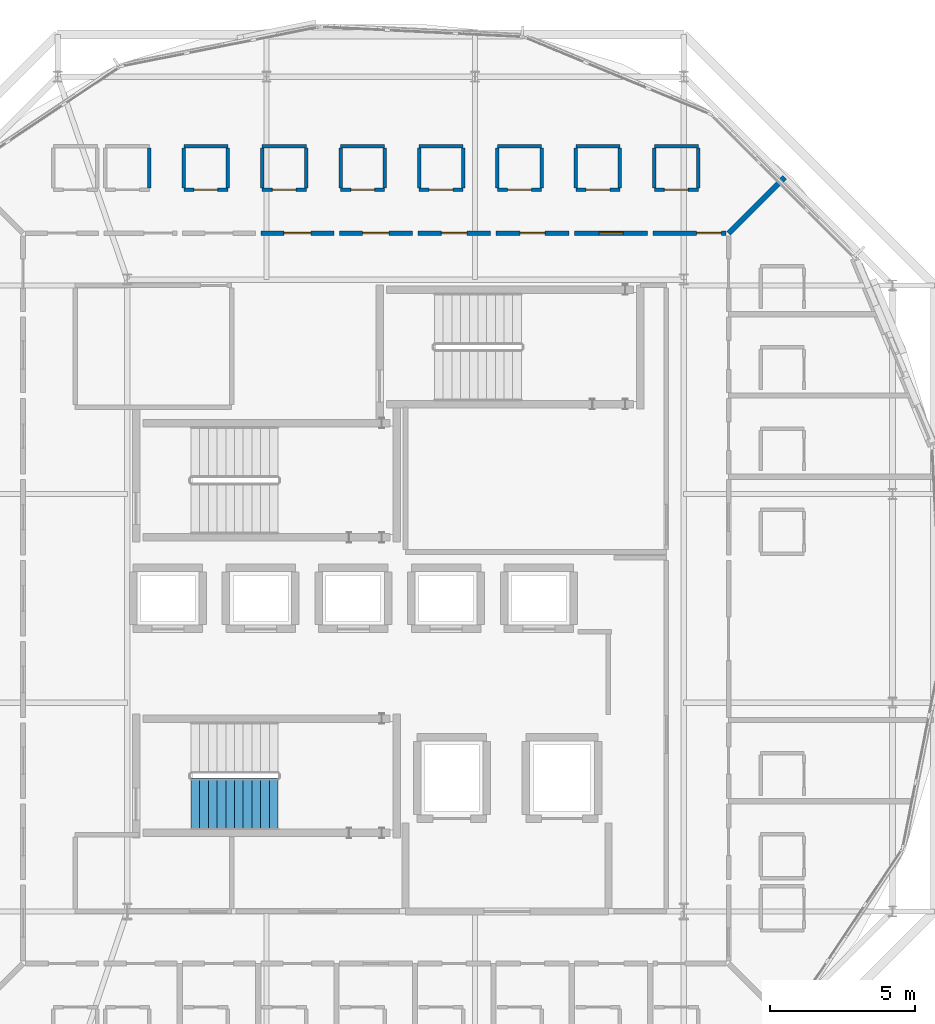
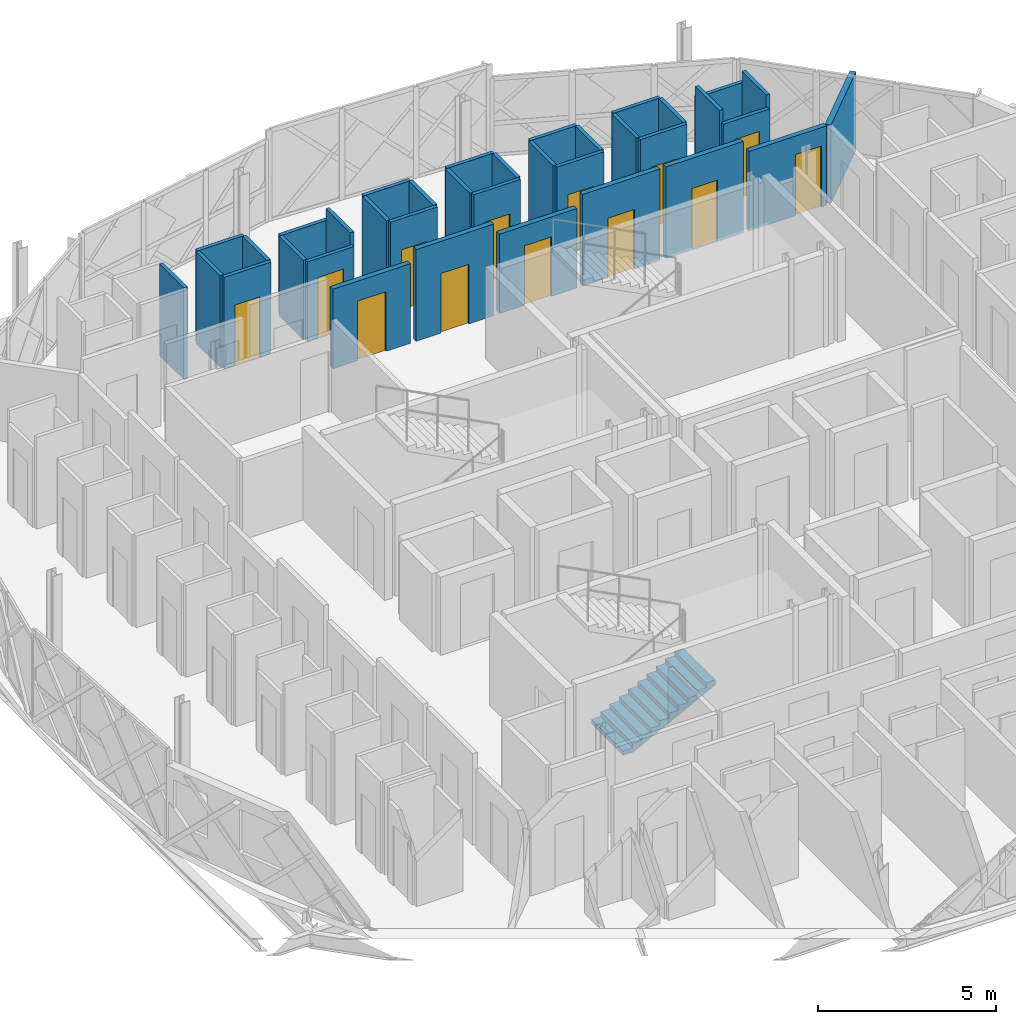
# One storey, part 18 of 24: 36 walls, 13 doors, 1 stair flight, 13 openings, 1 element without a shape of its own.
"""IFC4 building model written with IfcOpenShell, lengths in metres."""

from ifc_helpers import new_model, si_unit, direction, frame, frame_2d, origin, place, context, subcontext, project, spatial, polyline, rectangle, outline, extrude, material, layer, layer_set, type_object, element, fill, aggregate, save


model = new_model("IFC4")

# Units and contexts
model_context = context("Model", 3, precision=1e-05, world=origin(), true_north=direction((0.0, 1.0)))
body_context = subcontext(model_context, "Body", "Model", "MODEL_VIEW")
ifc_project = project(units=[si_unit("LENGTHUNIT", "METRE"), si_unit("AREAUNIT", "SQUARE_METRE"), si_unit("VOLUMEUNIT", "CUBIC_METRE"), si_unit("PLANEANGLEUNIT", "RADIAN"), si_unit("MASSUNIT", "GRAM", prefix="KILO")], contexts=[model_context])

# Site, building, storey
site_placement = place(None, origin())
site = spatial("IfcSite", under=ifc_project, at=site_placement, CompositionType="ELEMENT")
building_placement = place(site_placement, origin())
building = spatial("IfcBuilding", under=site, at=building_placement, Name="Zevrakil Square Congress Hotel", CompositionType="ELEMENT")
storey_placement = place(building_placement, frame((0.0, 0.0, 38.5)))
storey = spatial("IfcBuildingStorey", under=building, at=storey_placement, Name="L11", CompositionType="ELEMENT", Elevation=38.5)

# Wall, opening, door
ifc_material_1 = material(Name="Gypsum Acoustic Stud Partition")
ifc_layer_1 = layer(ifc_material_1, 0.159912109375)
ifc_layer_set_1 = layer_set([ifc_layer_1], Name="Gypsum Acoustic Stud Partition")
wall_type_1 = type_object("IfcWallType", Name="WAL-CORR-160", PredefinedType="PARTITIONING", material=ifc_layer_set_1)
wall_1_placement = place(storey_placement, frame((154.939453125, 40.199951171875, 0.0), z_axis=(0.0, 0.0, 1.0), x_axis=(1.0, 0.0, 0.0)))
wall_1 = element("IfcWall", 1, at=wall_1_placement, inside=storey, type_object=wall_type_1, Name="L11 interior partition PW-L11-1883", PredefinedType="PARTITIONING", context=body_context, shape_type="SweptSolid", body=[
    extrude(rectangle(XDim=2.515625, YDim=0.159912109375, at=frame_2d((1.2578125, 0.0))), origin(), (0.0, 0.0, 1.0), 2.735107421875),
])
opening_1_placement = place(wall_1_placement, frame((1.503662109375, 0.0, 0.0)))
opening_1 = element("IfcOpeningElement", 2, at=opening_1_placement, cuts=wall_1, Name="Opening ID-H01", PredefinedType="OPENING", context=body_context, shape_type="SweptSolid", body=[
    extrude(rectangle(XDim=0.85205078125, YDim=2.10009765625, at=frame_2d((0.426025390625, 1.050048828125))), frame((0.0, 0.08984375, 0.0), z_axis=(0.0, -1.0, 0.0), x_axis=(1.0, 0.0, 0.0)), (0.0, 0.0, 1.0), 0.179931640625),
])
ifc_material_2 = material(Name="Acoustic Timber Fire Door", Category="wood")
door_type_1 = type_object("IfcDoorType", Name="DOR-INT-H01", OperationType="NOTDEFINED", PredefinedType="DOOR", material=ifc_material_2)
door_1_placement = place(opening_1_placement, origin())
door_1 = element("IfcDoor", 3, at=door_1_placement, inside=storey, type_object=door_type_1, Name="L11 interior door 730", OperationType="SINGLE_SWING_RIGHT", OverallHeight=2.10009765625, OverallWidth=0.85205078125, PredefinedType="DOOR", context=body_context, shape_type="SweptSolid", body=[
    extrude(rectangle(XDim=0.85205078125, YDim=2.10009765625, at=frame_2d((0.426025390625, 1.050048828125))), frame((0.0, 0.02490234375, 0.0), z_axis=(0.0, -1.0, 0.0), x_axis=(1.0, 0.0, 0.0)), (0.0, 0.0, 1.0), 0.050048828125),
])
fill(opening_1, door_1)

wall_2_placement = place(storey_placement, frame((152.23388671875, 40.199951171875, 0.0), z_axis=(0.0, 0.0, 1.0), x_axis=(1.0, 0.0, 0.0)))
wall_2 = element("IfcWall", 4, at=wall_2_placement, inside=storey, type_object=wall_type_1, Name="L11 interior partition PW-L11-1888", PredefinedType="PARTITIONING", context=body_context, shape_type="SweptSolid", body=[
    extrude(rectangle(XDim=2.515625, YDim=0.159912109375, at=frame_2d((1.2578125, 0.0))), origin(), (0.0, 0.0, 1.0), 3.14990234375),
])
opening_2_placement = place(wall_2_placement, frame((0.8427734375, 0.0, 0.0)))
opening_2 = element("IfcOpeningElement", 5, at=opening_2_placement, cuts=wall_2, Name="Opening ID-G10", PredefinedType="OPENING", context=body_context, shape_type="SweptSolid", body=[
    extrude(rectangle(XDim=0.830078125, YDim=2.110107421875, at=frame_2d((0.4150390625, 1.05517578125))), frame((0.0, 0.08984375, 0.0), z_axis=(0.0, -1.0, 0.0), x_axis=(1.0, 0.0, 0.0)), (0.0, 0.0, 1.0), 0.179931640625),
])
ifc_material_3 = material(Name="Acoustic Timber Fire Door", Category="wood")
door_type_2 = type_object("IfcDoorType", Name="DOR-INT-G10", OperationType="NOTDEFINED", PredefinedType="DOOR", material=ifc_material_3)
door_2_placement = place(opening_2_placement, origin())
door_2 = element("IfcDoor", 6, at=door_2_placement, inside=storey, type_object=door_type_2, Name="L11 interior door 732", OperationType="SINGLE_SWING_RIGHT", OverallHeight=2.110107421875, OverallWidth=0.830078125, PredefinedType="DOOR", context=body_context, shape_type="SweptSolid", body=[
    extrude(rectangle(XDim=0.830078125, YDim=2.110107421875, at=frame_2d((0.4150390625, 1.05517578125))), frame((0.0, 0.02490234375, 0.0), z_axis=(0.0, -1.0, 0.0), x_axis=(1.0, 0.0, 0.0)), (0.0, 0.0, 1.0), 0.050048828125),
])
fill(opening_2, door_2)

wall_3_placement = place(storey_placement, frame((149.5283203125, 40.199951171875, 0.0), z_axis=(0.0, 0.0, 1.0), x_axis=(1.0, 0.0, 0.0)))
wall_3 = element("IfcWall", 7, at=wall_3_placement, inside=storey, type_object=wall_type_1, Name="L11 interior partition PW-L11-1893", PredefinedType="PARTITIONING", context=body_context, shape_type="SweptSolid", body=[
    extrude(rectangle(XDim=2.515625, YDim=0.159912109375, at=frame_2d((1.2578125, 0.0))), origin(), (0.0, 0.0, 1.0), 3.14990234375),
])
opening_3_placement = place(wall_3_placement, frame((0.830322265625, 0.0, 0.0)))
opening_3 = element("IfcOpeningElement", 8, at=opening_3_placement, cuts=wall_3, Name="Opening ID-G01", PredefinedType="OPENING", context=body_context, shape_type="SweptSolid", body=[
    extrude(rectangle(XDim=0.85498046875, YDim=2.050048828125, at=frame_2d((0.427490234375, 1.02490234375))), frame((0.0, 0.08984375, 0.0), z_axis=(0.0, -1.0, 0.0), x_axis=(1.0, 0.0, 0.0)), (0.0, 0.0, 1.0), 0.179931640625),
])
ifc_material_4 = material(Name="Acoustic Timber Fire Door", Category="wood")
door_type_3 = type_object("IfcDoorType", Name="DOR-INT-G01", OperationType="NOTDEFINED", PredefinedType="DOOR", material=ifc_material_4)
door_3_placement = place(opening_3_placement, origin())
door_3 = element("IfcDoor", 9, at=door_3_placement, inside=storey, type_object=door_type_3, Name="L11 interior door 734", OperationType="SINGLE_SWING_RIGHT", OverallHeight=2.050048828125, OverallWidth=0.85498046875, PredefinedType="DOOR", context=body_context, shape_type="SweptSolid", body=[
    extrude(rectangle(XDim=0.85498046875, YDim=2.050048828125, at=frame_2d((0.427490234375, 1.02490234375))), frame((0.0, 0.02490234375, 0.0), z_axis=(0.0, -1.0, 0.0), x_axis=(1.0, 0.0, 0.0)), (0.0, 0.0, 1.0), 0.050048828125),
])
fill(opening_3, door_3)

wall_4_placement = place(storey_placement, frame((146.82275390625, 40.199951171875, 0.0), z_axis=(0.0, 0.0, 1.0), x_axis=(1.0, 0.0, 0.0)))
wall_4 = element("IfcWall", 10, at=wall_4_placement, inside=storey, type_object=wall_type_1, Name="L11 interior partition PW-L11-1898", PredefinedType="PARTITIONING", context=body_context, shape_type="SweptSolid", body=[
    extrude(rectangle(XDim=2.515625, YDim=0.159912109375, at=frame_2d((1.2578125, 0.0))), origin(), (0.0, 0.0, 1.0), 2.735107421875),
])
opening_4_placement = place(wall_4_placement, frame((0.81787109375, 0.0, 0.0)))
opening_4 = element("IfcOpeningElement", 11, at=opening_4_placement, cuts=wall_4, Name="Opening ID-G02", PredefinedType="OPENING", context=body_context, shape_type="SweptSolid", body=[
    extrude(rectangle(XDim=0.8798828125, YDim=2.050048828125, at=frame_2d((0.43994140625, 1.02490234375))), frame((0.0, 0.08984375, 0.0), z_axis=(0.0, -1.0, 0.0), x_axis=(1.0, 0.0, 0.0)), (0.0, 0.0, 1.0), 0.179931640625),
])
ifc_material_5 = material(Name="Acoustic Timber Fire Door", Category="wood")
door_type_4 = type_object("IfcDoorType", Name="DOR-INT-G02", OperationType="NOTDEFINED", PredefinedType="DOOR", material=ifc_material_5)
door_4_placement = place(opening_4_placement, origin())
door_4 = element("IfcDoor", 12, at=door_4_placement, inside=storey, type_object=door_type_4, Name="L11 interior door 736", OperationType="SINGLE_SWING_RIGHT", OverallHeight=2.050048828125, OverallWidth=0.8798828125, PredefinedType="DOOR", context=body_context, shape_type="SweptSolid", body=[
    extrude(rectangle(XDim=0.8798828125, YDim=2.050048828125, at=frame_2d((0.43994140625, 1.02490234375))), frame((0.0, 0.02490234375, 0.0), z_axis=(0.0, -1.0, 0.0), x_axis=(1.0, 0.0, 0.0)), (0.0, 0.0, 1.0), 0.050048828125),
])
fill(opening_4, door_4)

wall_5_placement = place(storey_placement, frame((144.1171875, 40.199951171875, 0.0), z_axis=(0.0, 0.0, 1.0), x_axis=(1.0, 0.0, 0.0)))
wall_5 = element("IfcWall", 13, at=wall_5_placement, inside=storey, type_object=wall_type_1, Name="L11 interior partition PW-L11-1903", PredefinedType="PARTITIONING", context=body_context, shape_type="SweptSolid", body=[
    extrude(rectangle(XDim=2.515625, YDim=0.159912109375, at=frame_2d((1.2578125, 0.0))), origin(), (0.0, 0.0, 1.0), 3.14990234375),
])
opening_5_placement = place(wall_5_placement, frame((0.805419921875, 0.0, 0.0)))
opening_5 = element("IfcOpeningElement", 14, at=opening_5_placement, cuts=wall_5, Name="Opening ID-G03", PredefinedType="OPENING", context=body_context, shape_type="SweptSolid", body=[
    extrude(rectangle(XDim=0.905029296875, YDim=2.050048828125, at=frame_2d((0.45263671875, 1.02490234375))), frame((0.0, 0.08984375, 0.0), z_axis=(0.0, -1.0, 0.0), x_axis=(1.0, 0.0, 0.0)), (0.0, 0.0, 1.0), 0.179931640625),
])
ifc_material_6 = material(Name="Acoustic Timber Fire Door", Category="wood")
door_type_5 = type_object("IfcDoorType", Name="DOR-INT-G03", OperationType="NOTDEFINED", PredefinedType="DOOR", material=ifc_material_6)
door_5_placement = place(opening_5_placement, origin())
door_5 = element("IfcDoor", 15, at=door_5_placement, inside=storey, type_object=door_type_5, Name="L11 interior door 738", OperationType="SINGLE_SWING_RIGHT", OverallHeight=2.050048828125, OverallWidth=0.905029296875, PredefinedType="DOOR", context=body_context, shape_type="SweptSolid", body=[
    extrude(rectangle(XDim=0.905029296875, YDim=2.050048828125, at=frame_2d((0.45263671875, 1.02490234375))), frame((0.0, 0.02490234375, 0.0), z_axis=(0.0, -1.0, 0.0), x_axis=(1.0, 0.0, 0.0)), (0.0, 0.0, 1.0), 0.050048828125),
])
fill(opening_5, door_5)

wall_6_placement = place(storey_placement, frame((141.41162109375, 40.199951171875, 0.0), z_axis=(0.0, 0.0, 1.0), x_axis=(1.0, 0.0, 0.0)))
wall_6 = element("IfcWall", 16, at=wall_6_placement, inside=storey, type_object=wall_type_1, Name="L11 interior partition PW-L11-1908", PredefinedType="PARTITIONING", context=body_context, shape_type="SweptSolid", body=[
    extrude(rectangle(XDim=2.515625, YDim=0.159912109375, at=frame_2d((1.2578125, 0.0))), origin(), (0.0, 0.0, 1.0), 2.735107421875),
])
opening_6_placement = place(wall_6_placement, frame((0.792724609375, 0.0, 0.0)))
opening_6 = element("IfcOpeningElement", 17, at=opening_6_placement, cuts=wall_6, Name="Opening ID-G04", PredefinedType="OPENING", context=body_context, shape_type="SweptSolid", body=[
    extrude(rectangle(XDim=0.929931640625, YDim=2.050048828125, at=frame_2d((0.46484375, 1.02490234375))), frame((0.0, 0.08984375, 0.0), z_axis=(0.0, -1.0, 0.0), x_axis=(1.0, 0.0, 0.0)), (0.0, 0.0, 1.0), 0.179931640625),
])
ifc_material_7 = material(Name="Acoustic Timber Fire Door", Category="wood")
door_type_6 = type_object("IfcDoorType", Name="DOR-INT-G04", OperationType="NOTDEFINED", PredefinedType="DOOR", material=ifc_material_7)
door_6_placement = place(opening_6_placement, origin())
door_6 = element("IfcDoor", 18, at=door_6_placement, inside=storey, type_object=door_type_6, Name="L11 interior door 740", OperationType="SINGLE_SWING_RIGHT", OverallHeight=2.050048828125, OverallWidth=0.929931640625, PredefinedType="DOOR", context=body_context, shape_type="SweptSolid", body=[
    extrude(rectangle(XDim=0.929931640625, YDim=2.050048828125, at=frame_2d((0.46484375, 1.02490234375))), frame((0.0, 0.02490234375, 0.0), z_axis=(0.0, -1.0, 0.0), x_axis=(1.0, 0.0, 0.0)), (0.0, 0.0, 1.0), 0.050048828125),
])
fill(opening_6, door_6)

ifc_material_8 = material(Name="Moisture-Resistant Gypsum Partition")
ifc_layer_2 = layer(ifc_material_8, 0.1201171875)
ifc_layer_set_2 = layer_set([ifc_layer_2], Name="Moisture-Resistant Gypsum Partition")
wall_type_2 = type_object("IfcWallType", Name="WAL-ENS-120", PredefinedType="PARTITIONING", material=ifc_layer_set_2)
wall_7_placement = place(storey_placement, frame((154.984375, 41.699951171875, 0.0), z_axis=(0.0, 0.0, 1.0), x_axis=(1.0, 0.0, 0.0)))
wall_7 = element("IfcWall", 19, at=wall_7_placement, inside=storey, type_object=wall_type_2, Name="L11 interior partition PW-L11-1884", PredefinedType="PARTITIONING", context=body_context, shape_type="SweptSolid", body=[
    extrude(rectangle(XDim=1.52001953125, YDim=0.1201171875, at=frame_2d((0.760009765625, 0.0))), origin(), (0.0, 0.0, 1.0), 2.735107421875),
])
opening_7_placement = place(wall_7_placement, frame((0.35009765625, 0.0, 0.0)))
opening_7 = element("IfcOpeningElement", 20, at=opening_7_placement, cuts=wall_7, Name="Opening ID-11", PredefinedType="OPENING", context=body_context, shape_type="SweptSolid", body=[
    extrude(rectangle(XDim=0.820068359375, YDim=2.080078125, at=frame_2d((0.41015625, 1.0400390625))), frame((0.0, 0.070068359375, 0.0), z_axis=(0.0, -1.0, 0.0), x_axis=(1.0, 0.0, 0.0)), (0.0, 0.0, 1.0), 0.14013671875),
])
ifc_material_9 = material(Name="Acoustic Timber Door", Category="wood")
door_type_7 = type_object("IfcDoorType", Name="DOR-INT-V01", OperationType="NOTDEFINED", PredefinedType="DOOR", material=ifc_material_9)
door_7_placement = place(opening_7_placement, origin())
door_7 = element("IfcDoor", 21, at=door_7_placement, inside=storey, type_object=door_type_7, Name="L11 interior door 731", OperationType="SINGLE_SWING_LEFT", OverallHeight=2.080078125, OverallWidth=0.820068359375, PredefinedType="DOOR", context=body_context, shape_type="SweptSolid", body=[
    extrude(rectangle(XDim=0.820068359375, YDim=2.080078125, at=frame_2d((0.41015625, 1.0400390625))), frame((0.0, 0.02490234375, 0.0), z_axis=(0.0, -1.0, 0.0), x_axis=(1.0, 0.0, 0.0)), (0.0, 0.0, 1.0), 0.050048828125),
])
fill(opening_7, door_7)

# Walls
wall_8_placement = place(storey_placement, frame((154.984375, 43.199951171875, 0.0), z_axis=(0.0, 0.0, 1.0), x_axis=(1.0, 0.0, 0.0)))
element("IfcWall", 22, at=wall_8_placement, inside=storey, type_object=wall_type_2, Name="L11 interior partition PW-L11-1885", PredefinedType="PARTITIONING", context=body_context, shape_type="SweptSolid", body=[
    extrude(rectangle(XDim=1.52001953125, YDim=0.1201171875, at=frame_2d((0.760009765625, 0.0))), origin(), (0.0, 0.0, 1.0), 2.735107421875),
])
for number, where, z_axis, x_axis, name in (
    (23, (154.984375, 41.764892578125, 0.0), (0.0, 0.0, 1.0), (0.0, 1.0, 0.0), "L11 interior partition PW-L11-1886"),
    (24, (156.50439453125, 41.764892578125, 0.0), (0.0, 0.0, 1.0), (0.0, 1.0, 0.0), "L11 interior partition PW-L11-1887"),
):
    element("IfcWall", number, at=place(storey_placement, frame(where, z_axis=z_axis, x_axis=x_axis)), inside=storey, type_object=wall_type_2, Name=name, PredefinedType="PARTITIONING", context=body_context, shape_type="SweptSolid", body=[
        extrude(rectangle(XDim=1.3701171875, YDim=0.1201171875, at=frame_2d((0.68505859375, 0.0))), origin(), (0.0, 0.0, 1.0), 3.14990234375),
    ])

# Wall, opening, door
wall_9_placement = place(storey_placement, frame((152.27880859375, 41.699951171875, 0.0), z_axis=(0.0, 0.0, 1.0), x_axis=(1.0, 0.0, 0.0)))
wall_9 = element("IfcWall", 25, at=wall_9_placement, inside=storey, type_object=wall_type_2, Name="L11 interior partition PW-L11-1889", PredefinedType="PARTITIONING", context=body_context, shape_type="SweptSolid", body=[
    extrude(rectangle(XDim=1.52001953125, YDim=0.1201171875, at=frame_2d((0.760009765625, 0.0))), origin(), (0.0, 0.0, 1.0), 3.14990234375),
])
opening_8_placement = place(wall_9_placement, frame((0.35009765625, 0.0, 0.0)))
opening_8 = element("IfcOpeningElement", 26, at=opening_8_placement, cuts=wall_9, Name="Opening ID-11", PredefinedType="OPENING", context=body_context, shape_type="SweptSolid", body=[
    extrude(rectangle(XDim=0.820068359375, YDim=2.080078125, at=frame_2d((0.41015625, 1.0400390625))), frame((0.0, 0.070068359375, 0.0), z_axis=(0.0, -1.0, 0.0), x_axis=(1.0, 0.0, 0.0)), (0.0, 0.0, 1.0), 0.14013671875),
])
door_8_placement = place(opening_8_placement, origin())
door_8 = element("IfcDoor", 27, at=door_8_placement, inside=storey, type_object=door_type_7, Name="L11 interior door 733", OperationType="SINGLE_SWING_LEFT", OverallHeight=2.080078125, OverallWidth=0.820068359375, PredefinedType="DOOR", context=body_context, shape_type="SweptSolid", body=[
    extrude(rectangle(XDim=0.820068359375, YDim=2.080078125, at=frame_2d((0.41015625, 1.0400390625))), frame((0.0, 0.02490234375, 0.0), z_axis=(0.0, -1.0, 0.0), x_axis=(1.0, 0.0, 0.0)), (0.0, 0.0, 1.0), 0.050048828125),
])
fill(opening_8, door_8)

# Walls
wall_10_placement = place(storey_placement, frame((152.27880859375, 43.199951171875, 0.0), z_axis=(0.0, 0.0, 1.0), x_axis=(1.0, 0.0, 0.0)))
element("IfcWall", 28, at=wall_10_placement, inside=storey, type_object=wall_type_2, Name="L11 interior partition PW-L11-1890", PredefinedType="PARTITIONING", context=body_context, shape_type="SweptSolid", body=[
    extrude(rectangle(XDim=1.52001953125, YDim=0.1201171875, at=frame_2d((0.760009765625, 0.0))), origin(), (0.0, 0.0, 1.0), 3.14990234375),
])
for number, where, z_axis, x_axis, name in (
    (29, (152.27880859375, 41.764892578125, 0.0), (0.0, 0.0, 1.0), (0.0, 1.0, 0.0), "L11 interior partition PW-L11-1891"),
    (30, (153.798828125, 41.764892578125, 0.0), (0.0, 0.0, 1.0), (0.0, 1.0, 0.0), "L11 interior partition PW-L11-1892"),
):
    element("IfcWall", number, at=place(storey_placement, frame(where, z_axis=z_axis, x_axis=x_axis)), inside=storey, type_object=wall_type_2, Name=name, PredefinedType="PARTITIONING", context=body_context, shape_type="SweptSolid", body=[
        extrude(rectangle(XDim=1.3701171875, YDim=0.1201171875, at=frame_2d((0.68505859375, 0.0))), origin(), (0.0, 0.0, 1.0), 3.14990234375),
    ])

# Wall, opening, door
wall_11_placement = place(storey_placement, frame((149.5732421875, 41.699951171875, 0.0), z_axis=(0.0, 0.0, 1.0), x_axis=(1.0, 0.0, 0.0)))
wall_11 = element("IfcWall", 31, at=wall_11_placement, inside=storey, type_object=wall_type_2, Name="L11 interior partition PW-L11-1894", PredefinedType="PARTITIONING", context=body_context, shape_type="SweptSolid", body=[
    extrude(rectangle(XDim=1.52001953125, YDim=0.1201171875, at=frame_2d((0.760009765625, 0.0))), origin(), (0.0, 0.0, 1.0), 3.14990234375),
])
opening_9_placement = place(wall_11_placement, frame((0.35009765625, 0.0, 0.0)))
opening_9 = element("IfcOpeningElement", 32, at=opening_9_placement, cuts=wall_11, Name="Opening ID-11", PredefinedType="OPENING", context=body_context, shape_type="SweptSolid", body=[
    extrude(rectangle(XDim=0.820068359375, YDim=2.080078125, at=frame_2d((0.41015625, 1.0400390625))), frame((0.0, 0.070068359375, 0.0), z_axis=(0.0, -1.0, 0.0), x_axis=(1.0, 0.0, 0.0)), (0.0, 0.0, 1.0), 0.14013671875),
])
door_9_placement = place(opening_9_placement, origin())
door_9 = element("IfcDoor", 33, at=door_9_placement, inside=storey, type_object=door_type_7, Name="L11 interior door 735", OperationType="SINGLE_SWING_LEFT", OverallHeight=2.080078125, OverallWidth=0.820068359375, PredefinedType="DOOR", context=body_context, shape_type="SweptSolid", body=[
    extrude(rectangle(XDim=0.820068359375, YDim=2.080078125, at=frame_2d((0.41015625, 1.0400390625))), frame((0.0, 0.02490234375, 0.0), z_axis=(0.0, -1.0, 0.0), x_axis=(1.0, 0.0, 0.0)), (0.0, 0.0, 1.0), 0.050048828125),
])
fill(opening_9, door_9)

# Walls
wall_12_placement = place(storey_placement, frame((149.5732421875, 43.199951171875, 0.0), z_axis=(0.0, 0.0, 1.0), x_axis=(1.0, 0.0, 0.0)))
element("IfcWall", 34, at=wall_12_placement, inside=storey, type_object=wall_type_2, Name="L11 interior partition PW-L11-1895", PredefinedType="PARTITIONING", context=body_context, shape_type="SweptSolid", body=[
    extrude(rectangle(XDim=1.52001953125, YDim=0.1201171875, at=frame_2d((0.760009765625, 0.0))), origin(), (0.0, 0.0, 1.0), 3.14990234375),
])
for number, where, z_axis, x_axis, name in (
    (35, (149.5732421875, 41.764892578125, 0.0), (0.0, 0.0, 1.0), (0.0, 1.0, 0.0), "L11 interior partition PW-L11-1896"),
    (36, (151.09326171875, 41.764892578125, 0.0), (0.0, 0.0, 1.0), (0.0, 1.0, 0.0), "L11 interior partition PW-L11-1897"),
):
    element("IfcWall", number, at=place(storey_placement, frame(where, z_axis=z_axis, x_axis=x_axis)), inside=storey, type_object=wall_type_2, Name=name, PredefinedType="PARTITIONING", context=body_context, shape_type="SweptSolid", body=[
        extrude(rectangle(XDim=1.3701171875, YDim=0.1201171875, at=frame_2d((0.68505859375, 0.0))), origin(), (0.0, 0.0, 1.0), 3.14990234375),
    ])

# Wall, opening, door
wall_13_placement = place(storey_placement, frame((146.86767578125, 41.699951171875, 0.0), z_axis=(0.0, 0.0, 1.0), x_axis=(1.0, 0.0, 0.0)))
wall_13 = element("IfcWall", 37, at=wall_13_placement, inside=storey, type_object=wall_type_2, Name="L11 interior partition PW-L11-1899", PredefinedType="PARTITIONING", context=body_context, shape_type="SweptSolid", body=[
    extrude(rectangle(XDim=1.52001953125, YDim=0.1201171875, at=frame_2d((0.760009765625, 0.0))), origin(), (0.0, 0.0, 1.0), 3.14990234375),
])
opening_10_placement = place(wall_13_placement, frame((0.35009765625, 0.0, 0.0)))
opening_10 = element("IfcOpeningElement", 38, at=opening_10_placement, cuts=wall_13, Name="Opening ID-11", PredefinedType="OPENING", context=body_context, shape_type="SweptSolid", body=[
    extrude(rectangle(XDim=0.820068359375, YDim=2.080078125, at=frame_2d((0.41015625, 1.0400390625))), frame((0.0, 0.070068359375, 0.0), z_axis=(0.0, -1.0, 0.0), x_axis=(1.0, 0.0, 0.0)), (0.0, 0.0, 1.0), 0.14013671875),
])
door_10_placement = place(opening_10_placement, origin())
door_10 = element("IfcDoor", 39, at=door_10_placement, inside=storey, type_object=door_type_7, Name="L11 interior door 737", OperationType="SINGLE_SWING_LEFT", OverallHeight=2.080078125, OverallWidth=0.820068359375, PredefinedType="DOOR", context=body_context, shape_type="SweptSolid", body=[
    extrude(rectangle(XDim=0.820068359375, YDim=2.080078125, at=frame_2d((0.41015625, 1.0400390625))), frame((0.0, 0.02490234375, 0.0), z_axis=(0.0, -1.0, 0.0), x_axis=(1.0, 0.0, 0.0)), (0.0, 0.0, 1.0), 0.050048828125),
])
fill(opening_10, door_10)

# Walls
wall_14_placement = place(storey_placement, frame((146.86767578125, 43.199951171875, 0.0), z_axis=(0.0, 0.0, 1.0), x_axis=(1.0, 0.0, 0.0)))
element("IfcWall", 40, at=wall_14_placement, inside=storey, type_object=wall_type_2, Name="L11 interior partition PW-L11-1900", PredefinedType="PARTITIONING", context=body_context, shape_type="SweptSolid", body=[
    extrude(rectangle(XDim=1.52001953125, YDim=0.1201171875, at=frame_2d((0.760009765625, 0.0))), origin(), (0.0, 0.0, 1.0), 3.14990234375),
])
for number, where, z_axis, x_axis, name in (
    (41, (146.86767578125, 41.764892578125, 0.0), (0.0, 0.0, 1.0), (0.0, 1.0, 0.0), "L11 interior partition PW-L11-1901"),
    (42, (148.3876953125, 41.764892578125, 0.0), (0.0, 0.0, 1.0), (0.0, 1.0, 0.0), "L11 interior partition PW-L11-1902"),
):
    element("IfcWall", number, at=place(storey_placement, frame(where, z_axis=z_axis, x_axis=x_axis)), inside=storey, type_object=wall_type_2, Name=name, PredefinedType="PARTITIONING", context=body_context, shape_type="SweptSolid", body=[
        extrude(rectangle(XDim=1.3701171875, YDim=0.1201171875, at=frame_2d((0.68505859375, 0.0))), origin(), (0.0, 0.0, 1.0), 3.14990234375),
    ])

# Wall, opening, door
wall_15_placement = place(storey_placement, frame((144.162109375, 41.699951171875, 0.0), z_axis=(0.0, 0.0, 1.0), x_axis=(1.0, 0.0, 0.0)))
wall_15 = element("IfcWall", 43, at=wall_15_placement, inside=storey, type_object=wall_type_2, Name="L11 interior partition PW-L11-1904", PredefinedType="PARTITIONING", context=body_context, shape_type="SweptSolid", body=[
    extrude(rectangle(XDim=1.52001953125, YDim=0.1201171875, at=frame_2d((0.760009765625, 0.0))), origin(), (0.0, 0.0, 1.0), 3.14990234375),
])
opening_11_placement = place(wall_15_placement, frame((0.35009765625, 0.0, 0.0)))
opening_11 = element("IfcOpeningElement", 44, at=opening_11_placement, cuts=wall_15, Name="Opening ID-11", PredefinedType="OPENING", context=body_context, shape_type="SweptSolid", body=[
    extrude(rectangle(XDim=0.820068359375, YDim=2.080078125, at=frame_2d((0.41015625, 1.0400390625))), frame((0.0, 0.070068359375, 0.0), z_axis=(0.0, -1.0, 0.0), x_axis=(1.0, 0.0, 0.0)), (0.0, 0.0, 1.0), 0.14013671875),
])
door_11_placement = place(opening_11_placement, origin())
door_11 = element("IfcDoor", 45, at=door_11_placement, inside=storey, type_object=door_type_7, Name="L11 interior door 739", OperationType="SINGLE_SWING_LEFT", OverallHeight=2.080078125, OverallWidth=0.820068359375, PredefinedType="DOOR", context=body_context, shape_type="SweptSolid", body=[
    extrude(rectangle(XDim=0.820068359375, YDim=2.080078125, at=frame_2d((0.41015625, 1.0400390625))), frame((0.0, 0.02490234375, 0.0), z_axis=(0.0, -1.0, 0.0), x_axis=(1.0, 0.0, 0.0)), (0.0, 0.0, 1.0), 0.050048828125),
])
fill(opening_11, door_11)

# Walls
wall_16_placement = place(storey_placement, frame((144.162109375, 43.199951171875, 0.0), z_axis=(0.0, 0.0, 1.0), x_axis=(1.0, 0.0, 0.0)))
element("IfcWall", 46, at=wall_16_placement, inside=storey, type_object=wall_type_2, Name="L11 interior partition PW-L11-1905", PredefinedType="PARTITIONING", context=body_context, shape_type="SweptSolid", body=[
    extrude(rectangle(XDim=1.52001953125, YDim=0.1201171875, at=frame_2d((0.760009765625, 0.0))), origin(), (0.0, 0.0, 1.0), 3.14990234375),
])
for number, where, z_axis, x_axis, name in (
    (47, (144.162109375, 41.764892578125, 0.0), (0.0, 0.0, 1.0), (0.0, 1.0, 0.0), "L11 interior partition PW-L11-1906"),
    (48, (145.68212890625, 41.764892578125, 0.0), (0.0, 0.0, 1.0), (0.0, 1.0, 0.0), "L11 interior partition PW-L11-1907"),
):
    element("IfcWall", number, at=place(storey_placement, frame(where, z_axis=z_axis, x_axis=x_axis)), inside=storey, type_object=wall_type_2, Name=name, PredefinedType="PARTITIONING", context=body_context, shape_type="SweptSolid", body=[
        extrude(rectangle(XDim=1.3701171875, YDim=0.1201171875, at=frame_2d((0.68505859375, 0.0))), origin(), (0.0, 0.0, 1.0), 3.14990234375),
    ])

# Wall, opening, door
wall_17_placement = place(storey_placement, frame((141.45654296875, 41.699951171875, 0.0), z_axis=(0.0, 0.0, 1.0), x_axis=(1.0, 0.0, 0.0)))
wall_17 = element("IfcWall", 49, at=wall_17_placement, inside=storey, type_object=wall_type_2, Name="L11 interior partition PW-L11-1909", PredefinedType="PARTITIONING", context=body_context, shape_type="SweptSolid", body=[
    extrude(rectangle(XDim=1.52001953125, YDim=0.1201171875, at=frame_2d((0.760009765625, 0.0))), origin(), (0.0, 0.0, 1.0), 2.735107421875),
])
opening_12_placement = place(wall_17_placement, frame((0.35009765625, 0.0, 0.0)))
opening_12 = element("IfcOpeningElement", 50, at=opening_12_placement, cuts=wall_17, Name="Opening ID-11", PredefinedType="OPENING", context=body_context, shape_type="SweptSolid", body=[
    extrude(rectangle(XDim=0.820068359375, YDim=2.080078125, at=frame_2d((0.41015625, 1.0400390625))), frame((0.0, 0.070068359375, 0.0), z_axis=(0.0, -1.0, 0.0), x_axis=(1.0, 0.0, 0.0)), (0.0, 0.0, 1.0), 0.14013671875),
])
door_12_placement = place(opening_12_placement, origin())
door_12 = element("IfcDoor", 51, at=door_12_placement, inside=storey, type_object=door_type_7, Name="L11 interior door 741", OperationType="SINGLE_SWING_LEFT", OverallHeight=2.080078125, OverallWidth=0.820068359375, PredefinedType="DOOR", context=body_context, shape_type="SweptSolid", body=[
    extrude(rectangle(XDim=0.820068359375, YDim=2.080078125, at=frame_2d((0.41015625, 1.0400390625))), frame((0.0, 0.02490234375, 0.0), z_axis=(0.0, -1.0, 0.0), x_axis=(1.0, 0.0, 0.0)), (0.0, 0.0, 1.0), 0.050048828125),
])
fill(opening_12, door_12)

# Walls
wall_18_placement = place(storey_placement, frame((141.45654296875, 43.199951171875, 0.0), z_axis=(0.0, 0.0, 1.0), x_axis=(1.0, 0.0, 0.0)))
element("IfcWall", 52, at=wall_18_placement, inside=storey, type_object=wall_type_2, Name="L11 interior partition PW-L11-1910", PredefinedType="PARTITIONING", context=body_context, shape_type="SweptSolid", body=[
    extrude(rectangle(XDim=1.52001953125, YDim=0.1201171875, at=frame_2d((0.760009765625, 0.0))), origin(), (0.0, 0.0, 1.0), 2.735107421875),
])
wall_19_placement = place(storey_placement, frame((141.45654296875, 41.764892578125, 0.0), z_axis=(0.0, 0.0, 1.0), x_axis=(0.0, 1.0, 0.0)))
element("IfcWall", 53, at=wall_19_placement, inside=storey, type_object=wall_type_2, Name="L11 interior partition PW-L11-1911", PredefinedType="PARTITIONING", context=body_context, shape_type="SweptSolid", body=[
    extrude(rectangle(XDim=1.3701171875, YDim=0.1201171875, at=frame_2d((0.68505859375, 0.0))), origin(), (0.0, 0.0, 1.0), 2.735107421875),
])
wall_20_placement = place(storey_placement, frame((142.9765625, 41.764892578125, 0.0), z_axis=(0.0, 0.0, 1.0), x_axis=(0.0, 1.0, 0.0)))
element("IfcWall", 54, at=wall_20_placement, inside=storey, type_object=wall_type_2, Name="L11 interior partition PW-L11-1912", PredefinedType="PARTITIONING", context=body_context, shape_type="SweptSolid", body=[
    extrude(rectangle(XDim=1.3701171875, YDim=0.1201171875, at=frame_2d((0.68505859375, 0.0))), origin(), (0.0, 0.0, 1.0), 3.14990234375),
])

# Wall, opening, door
wall_21_placement = place(storey_placement, frame((138.751220703125, 41.699951171875, 0.0), z_axis=(0.0, 0.0, 1.0), x_axis=(1.0, 0.0, 0.0)))
wall_21 = element("IfcWall", 55, at=wall_21_placement, inside=storey, type_object=wall_type_2, Name="L11 interior partition PW-L11-1914", PredefinedType="PARTITIONING", context=body_context, shape_type="SweptSolid", body=[
    extrude(rectangle(XDim=1.519775390625, YDim=0.1201171875, at=frame_2d((0.759765625, 0.0))), origin(), (0.0, 0.0, 1.0), 3.14990234375),
])
opening_13_placement = place(wall_21_placement, frame((0.35009765625, 0.0, 0.0)))
opening_13 = element("IfcOpeningElement", 56, at=opening_13_placement, cuts=wall_21, Name="Opening ID-11", PredefinedType="OPENING", context=body_context, shape_type="SweptSolid", body=[
    extrude(rectangle(XDim=0.820068359375, YDim=2.080078125, at=frame_2d((0.41015625, 1.0400390625))), frame((0.0, 0.070068359375, 0.0), z_axis=(0.0, -1.0, 0.0), x_axis=(1.0, 0.0, 0.0)), (0.0, 0.0, 1.0), 0.14013671875),
])
door_13_placement = place(opening_13_placement, origin())
door_13 = element("IfcDoor", 57, at=door_13_placement, inside=storey, type_object=door_type_7, Name="L11 interior door 743", OperationType="SINGLE_SWING_LEFT", OverallHeight=2.080078125, OverallWidth=0.820068359375, PredefinedType="DOOR", context=body_context, shape_type="SweptSolid", body=[
    extrude(rectangle(XDim=0.820068359375, YDim=2.080078125, at=frame_2d((0.41015625, 1.0400390625))), frame((0.0, 0.02490234375, 0.0), z_axis=(0.0, -1.0, 0.0), x_axis=(1.0, 0.0, 0.0)), (0.0, 0.0, 1.0), 0.050048828125),
])
fill(opening_13, door_13)

# Walls
wall_22_placement = place(storey_placement, frame((138.751220703125, 43.199951171875, 0.0), z_axis=(0.0, 0.0, 1.0), x_axis=(1.0, 0.0, 0.0)))
element("IfcWall", 58, at=wall_22_placement, inside=storey, type_object=wall_type_2, Name="L11 interior partition PW-L11-1915", PredefinedType="PARTITIONING", context=body_context, shape_type="SweptSolid", body=[
    extrude(rectangle(XDim=1.519775390625, YDim=0.1201171875, at=frame_2d((0.759765625, 0.0))), origin(), (0.0, 0.0, 1.0), 3.14990234375),
])
for number, where, z_axis, x_axis, name in (
    (59, (138.751220703125, 41.764892578125, 0.0), (0.0, 0.0, 1.0), (0.0, 1.0, 0.0), "L11 interior partition PW-L11-1916"),
    (60, (140.27099609375, 41.764892578125, 0.0), (0.0, 0.0, 1.0), (0.0, 1.0, 0.0), "L11 interior partition PW-L11-1917"),
    (61, (137.5654296875, 41.764892578125, 0.0), (0.0, 0.0, 1.0), (0.0, 1.0, 0.0), "L11 interior partition PW-L11-1922"),
):
    element("IfcWall", number, at=place(storey_placement, frame(where, z_axis=z_axis, x_axis=x_axis)), inside=storey, type_object=wall_type_2, Name=name, PredefinedType="PARTITIONING", context=body_context, shape_type="SweptSolid", body=[
        extrude(rectangle(XDim=1.3701171875, YDim=0.1201171875, at=frame_2d((0.68505859375, 0.0))), origin(), (0.0, 0.0, 1.0), 3.14990234375),
    ])
ifc_material_10 = material(Name="Gypsum Twin-Stud Party Partition")
ifc_layer_3 = layer(ifc_material_10, 0.179931640625)
ifc_layer_set_3 = layer_set([ifc_layer_3], Name="Gypsum Twin-Stud Party Partition")
wall_type_3 = type_object("IfcWallType", Name="WAL-PARTY-180", PredefinedType="PARTITIONING", material=ifc_layer_set_3)
wall_23_placement = place(storey_placement, frame((157.550048828125, 40.199951171875, 0.0), z_axis=(0.0, 0.0, 1.0), x_axis=(0.707061989321, 0.707151570215, 0.0)))
element("IfcWall", 62, at=wall_23_placement, inside=storey, type_object=wall_type_3, Name="L11 interior partition PW-L11-1882", PredefinedType="PARTITIONING", context=body_context, shape_type="SweptSolid", body=[
    extrude(rectangle(XDim=2.725341796875, YDim=0.179931640625, at=frame_2d((1.36279296875, 0.0))), origin(), (0.0, 0.0, 1.0), 2.695068359375),
])

# Stair, stair flight
ifc_material_11 = material(Name="Concrete C35/45", Category="concrete")
stair_type = type_object("IfcStairType", Name="STR-DOGLEG-180", PredefinedType="HALF_TURN_STAIR", material=ifc_material_11)
stair_placement = place(storey_placement, origin())
stair = element("IfcStair", 63, at=stair_placement, inside=storey, type_object=stair_type, Name="L11 Protected exit stair ST01", PredefinedType="HALF_TURN_STAIR")
ifc_material_12 = material(Name="Concrete C35/45", Category="concrete")
ifc_layer_4 = layer(ifc_material_12, 0.159912109375)
ifc_layer_set_4 = layer_set([ifc_layer_4], Name="Concrete C35/45")
stair_flight_type = type_object("IfcStairFlightType", Name="SFL-STRAIGHT-180", PredefinedType="STRAIGHT", material=ifc_layer_set_4)
stair_flight_placement = place(storey_placement, frame((139.0, 20.5, 0.0), z_axis=(0.0, 0.0, 1.0), x_axis=(1.0, 0.0, 0.0)))
stair_flight = element("IfcStairFlight", 64, at=stair_flight_placement, type_object=stair_flight_type, Name="ST01 flight 1", NumberOfRisers=11, NumberOfTreads=10, PredefinedType="STRAIGHT", RiserHeight=0.154545455, TreadLength=0.3, context=body_context, shape_type="SweptSolid", body=[
    extrude(outline(polyline([(0.0, 0.0), (0.0, 0.154541015625), (0.300048828125, 0.154541015625), (0.300048828125, 0.30908203125), (0.60009765625, 0.30908203125), (0.60009765625, 0.463623046875), (0.89990234375, 0.463623046875), (0.89990234375, 0.6181640625), (1.199951171875, 0.6181640625), (1.199951171875, 0.772705078125), (1.5, 0.772705078125), (1.5, 0.92724609375), (1.800048828125, 0.92724609375), (1.800048828125, 1.081787109375), (2.10009765625, 1.081787109375), (2.10009765625, 1.236328125), (2.39990234375, 1.236328125), (2.39990234375, 1.390869140625), (2.699951171875, 1.390869140625), (2.699951171875, 1.54541015625), (3.0, 1.54541015625), (3.0, 1.699951171875), (3.0, 1.376708984375), (0.327392578125, 0.0), (0.0, 0.0)])), frame((0.0, 0.89990234375, 0.0), z_axis=(0.0, -1.0, 0.0), x_axis=(1.0, 0.0, 0.0)), (0.0, 0.0, 1.0), 1.800048828125),
])
aggregate(stair, [stair_flight])

save(model, "model.ifc")
